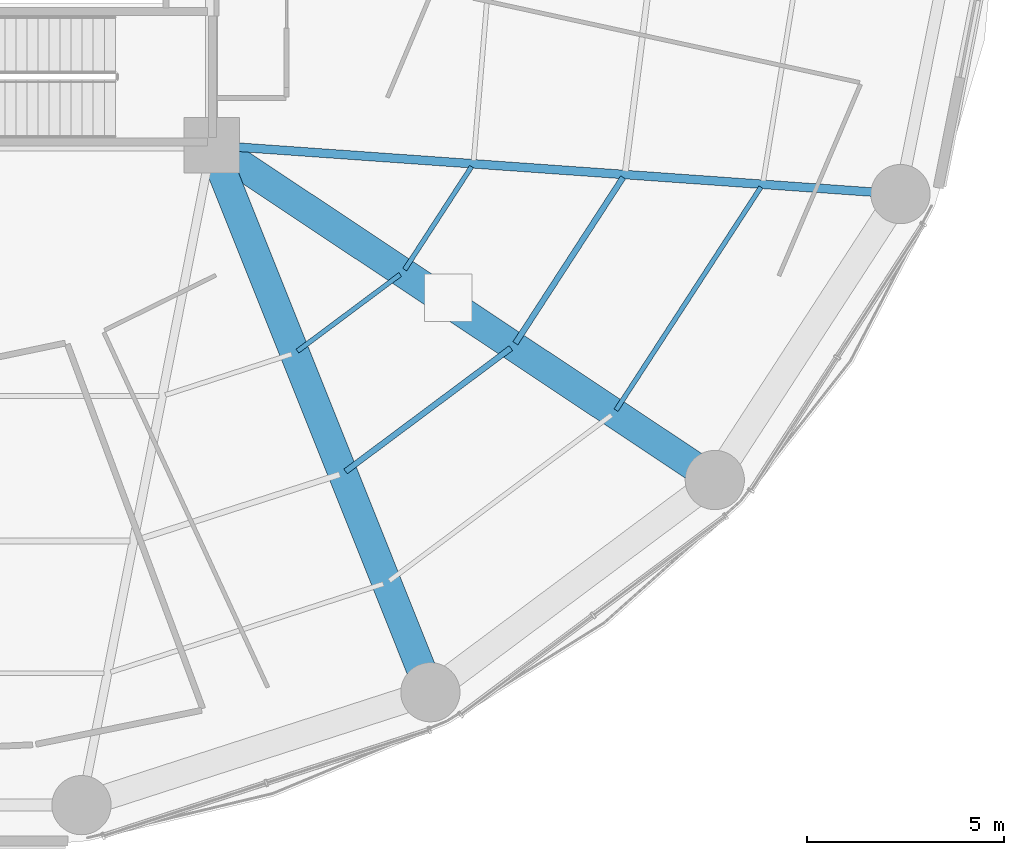
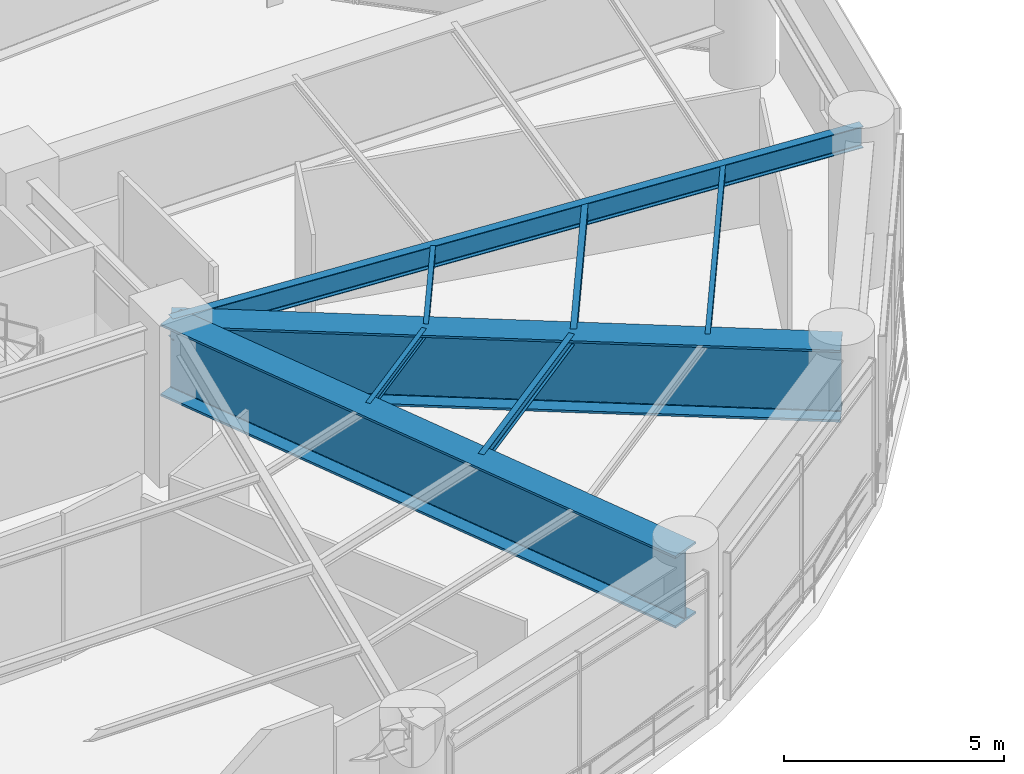
# One storey, part 21 of 52: 8 beams.
"""IFC4 building model written with IfcOpenShell, lengths in metres."""

from ifc_helpers import new_model, si_unit, direction, frame, origin, origin_2d, place, context, subcontext, project, spatial, i_section, extrude, material, material_profile, profile_set, type_object, element, save


model = new_model("IFC4")

# Units and contexts
model_context = context("Model", 3, precision=1e-05, world=origin(), true_north=direction((0.0, 1.0)))
body_context = subcontext(model_context, "Body", "Model", "MODEL_VIEW")
ifc_project = project(units=[si_unit("LENGTHUNIT", "METRE"), si_unit("AREAUNIT", "SQUARE_METRE"), si_unit("VOLUMEUNIT", "CUBIC_METRE"), si_unit("PLANEANGLEUNIT", "RADIAN"), si_unit("MASSUNIT", "GRAM", prefix="KILO")], contexts=[model_context])

# Site, building, storey
site_placement = place(None, origin())
site = spatial("IfcSite", under=ifc_project, at=site_placement, CompositionType="ELEMENT")
building_placement = place(site_placement, origin())
building = spatial("IfcBuilding", under=site, at=building_placement, Name="Kelanora Arch Commons", CompositionType="ELEMENT")
storey_placement = place(building_placement, frame((0.0, 0.0, 13.5)))
storey = spatial("IfcBuildingStorey", under=building, at=storey_placement, Name="L03", CompositionType="ELEMENT", Elevation=13.5)

# Beams
ifc_material = material(Name="Steel S355", Category="steel")
ifc_material_profile_1 = material_profile(ifc_material, i_section(OverallWidth=0.14990234375, OverallDepth=0.300048828125, WebThickness=0.007080078125, FlangeThickness=0.0107421875, FilletRadius=0.014892578125, at=origin_2d()), Name="IPE300")
ifc_profile_set_1 = profile_set([ifc_material_profile_1], Name="Steel S355")
beam_type_1 = type_object("IfcBeamType", Name="BM-JST-01", PredefinedType="JOIST", material=ifc_profile_set_1)
beam_1_placement = place(storey_placement, frame((85.39208984375, 42.738525390625, 3.949951171875), z_axis=(0.801478251559, 0.598023922831, 0.0), x_axis=(-0.598023922831, 0.801478251559, 0.0)))
element("IfcBeam", 1, at=beam_1_placement, inside=storey, type_object=beam_type_1, Name="Secondary Chord Joist BJB-30 L03", PredefinedType="JOIST", context=body_context, shape_type="SweptSolid", body=[
    extrude(i_section(OverallWidth=0.14990234375, OverallDepth=0.300048828125, WebThickness=0.007080078125, FlangeThickness=0.0107421875, FilletRadius=0.014892578125, at=origin_2d()), origin(), (0.0, 0.0, 1.0), 5.223388671875),
])
beam_2_placement = place(storey_placement, frame((89.693115234375, 45.984375, 3.949951171875), z_axis=(0.544551588245, 0.838727350061, 0.0), x_axis=(-0.838727350061, 0.544551588245, 0.0)))
element("IfcBeam", 2, at=beam_2_placement, inside=storey, type_object=beam_type_1, Name="Secondary Chord Joist BJB-32 L03", PredefinedType="JOIST", context=body_context, shape_type="SweptSolid", body=[
    extrude(i_section(OverallWidth=0.14990234375, OverallDepth=0.300048828125, WebThickness=0.007080078125, FlangeThickness=0.0107421875, FilletRadius=0.014892578125, at=origin_2d()), origin(), (0.0, 0.0, 1.0), 5.010986328125),
])
ifc_material_profile_2 = material_profile(ifc_material, i_section(OverallWidth=0.1201171875, OverallDepth=0.239990234375, WebThickness=0.006103515625, FlangeThickness=0.009765625, FilletRadius=0.014892578125, at=origin_2d()), Name="IPE240")
ifc_profile_set_2 = profile_set([ifc_material_profile_2], Name="Steel S355")
beam_type_2 = type_object("IfcBeamType", Name="BM-JST-02", PredefinedType="JOIST", material=ifc_profile_set_2)
beam_3_placement = place(storey_placement, frame((84.17333984375, 45.786376953125, 3.97998046875), z_axis=(0.801513822608, 0.59797624716, 0.0), x_axis=(-0.59797624716, 0.801513822608, 0.0)))
element("IfcBeam", 3, at=beam_3_placement, inside=storey, type_object=beam_type_2, Name="Secondary Chord Joist BJA-30 L03", PredefinedType="JOIST", context=body_context, shape_type="SweptSolid", body=[
    extrude(i_section(OverallWidth=0.1201171875, OverallDepth=0.239990234375, WebThickness=0.006103515625, FlangeThickness=0.009765625, FilletRadius=0.014892578125, at=origin_2d()), origin(), (0.0, 0.0, 1.0), 3.245849609375),
])
beam_4_placement = place(storey_placement, frame((86.88916015625, 47.849609375, 3.97998046875), z_axis=(0.544591105858, 0.838701691557, 0.0), x_axis=(-0.838701691557, 0.544591105858, 0.0)))
element("IfcBeam", 4, at=beam_4_placement, inside=storey, type_object=beam_type_2, Name="Secondary Chord Joist BJA-32 L03", PredefinedType="JOIST", context=body_context, shape_type="SweptSolid", body=[
    extrude(i_section(OverallWidth=0.1201171875, OverallDepth=0.239990234375, WebThickness=0.006103515625, FlangeThickness=0.009765625, FilletRadius=0.014892578125, at=origin_2d()), origin(), (0.0, 0.0, 1.0), 3.111328125),
])
beam_5_placement = place(storey_placement, frame((92.241943359375, 44.288818359375, 3.97998046875), z_axis=(0.544550165372, 0.838728273873, 0.0), x_axis=(-0.838728273873, 0.544550165372, 0.0)))
element("IfcBeam", 5, at=beam_5_placement, inside=storey, type_object=beam_type_2, Name="Secondary Chord Joist BJC-32 L03", PredefinedType="JOIST", context=body_context, shape_type="SweptSolid", body=[
    extrude(i_section(OverallWidth=0.1201171875, OverallDepth=0.239990234375, WebThickness=0.006103515625, FlangeThickness=0.009765625, FilletRadius=0.014892578125, at=origin_2d()), origin(), (0.0, 0.0, 1.0), 6.738037109375),
])
ifc_material_profile_3 = material_profile(ifc_material, i_section(OverallWidth=0.219970703125, OverallDepth=0.60009765625, WebThickness=0.011962890625, FlangeThickness=0.01904296875, FilletRadius=0.02392578125, at=origin_2d()), Name="IPE600")
ifc_profile_set_3 = profile_set([ifc_material_profile_3], Name="Steel S355")
beam_type_3 = type_object("IfcBeamType", Name="BM-RAD-Z1", PredefinedType="BEAM", material=ifc_profile_set_3)
beam_6_placement = place(storey_placement, frame((82.0, 51.0, 3.800048828125), z_axis=(0.997500683472, -0.070656821848, 0.0), x_axis=(0.070656821848, 0.997500683472, 0.0)))
element("IfcBeam", 6, at=beam_6_placement, inside=storey, type_object=beam_type_3, Name="Radial Floor Girder BR-34 L03", PredefinedType="BEAM", context=body_context, shape_type="SweptSolid", body=[
    extrude(i_section(OverallWidth=0.219970703125, OverallDepth=0.60009765625, WebThickness=0.011962890625, FlangeThickness=0.01904296875, FilletRadius=0.02392578125, at=origin_2d()), origin(), (0.0, 0.0, 1.0), 17.49072265625),
])
ifc_material_profile_4 = material_profile(ifc_material, i_section(OverallWidth=0.75, OverallDepth=2.0, WebThickness=0.034912109375, FlangeThickness=0.06005859375, FilletRadius=0.028076171875, at=origin_2d()), Name="PG2000x750")
ifc_profile_set_4 = profile_set([ifc_material_profile_4], Name="Steel S355")
beam_type_4 = type_object("IfcBeamType", Name="BM-XFER-SET", PredefinedType="USERDEFINED", material=ifc_profile_set_4)
beam_7_placement = place(storey_placement, frame((82.0, 51.0, 3.10009765625), z_axis=(0.371300398117, -0.928512797089, 0.0), x_axis=(0.928512797089, 0.371300398117, 0.0)))
element("IfcBeam", 7, at=beam_7_placement, inside=storey, type_object=beam_type_4, Name="Radial Floor Girder BR-30 L03", ObjectType="TRANSFER_GIRDER", PredefinedType="USERDEFINED", context=body_context, shape_type="SweptSolid", body=[
    extrude(i_section(OverallWidth=0.75, OverallDepth=2.0, WebThickness=0.034912109375, FlangeThickness=0.06005859375, FilletRadius=0.028076171875, at=origin_2d()), origin(), (0.0, 0.0, 1.0), 14.920654296875),
])
beam_8_placement = place(storey_placement, frame((82.0, 51.0, 3.10009765625), z_axis=(0.832592187754, -0.553886494591, 0.0), x_axis=(0.553886494591, 0.832592187754, 0.0)))
element("IfcBeam", 8, at=beam_8_placement, inside=storey, type_object=beam_type_4, Name="Radial Floor Girder BR-32 L03", ObjectType="TRANSFER_GIRDER", PredefinedType="USERDEFINED", context=body_context, shape_type="SweptSolid", body=[
    extrude(i_section(OverallWidth=0.75, OverallDepth=2.0, WebThickness=0.034912109375, FlangeThickness=0.06005859375, FilletRadius=0.028076171875, at=origin_2d()), origin(), (0.0, 0.0, 1.0), 15.306884765625),
])

save(model, "model.ifc")
